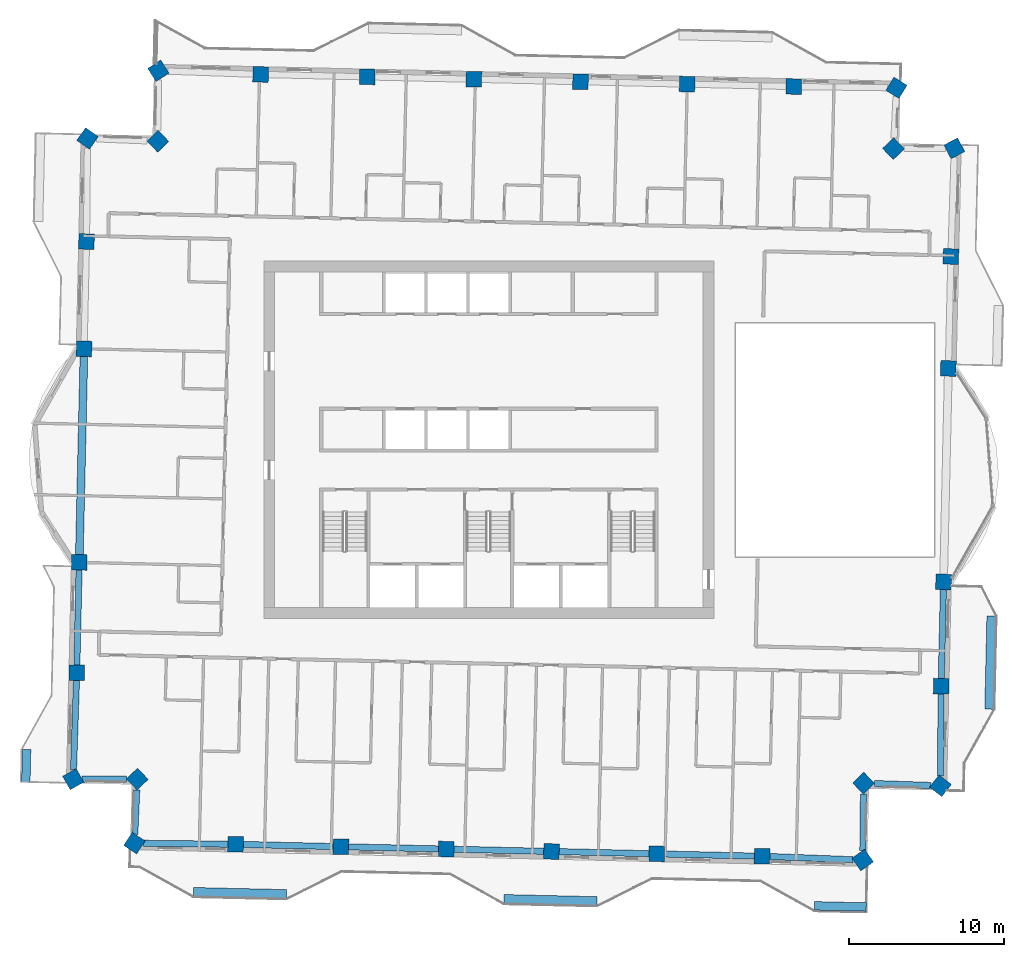
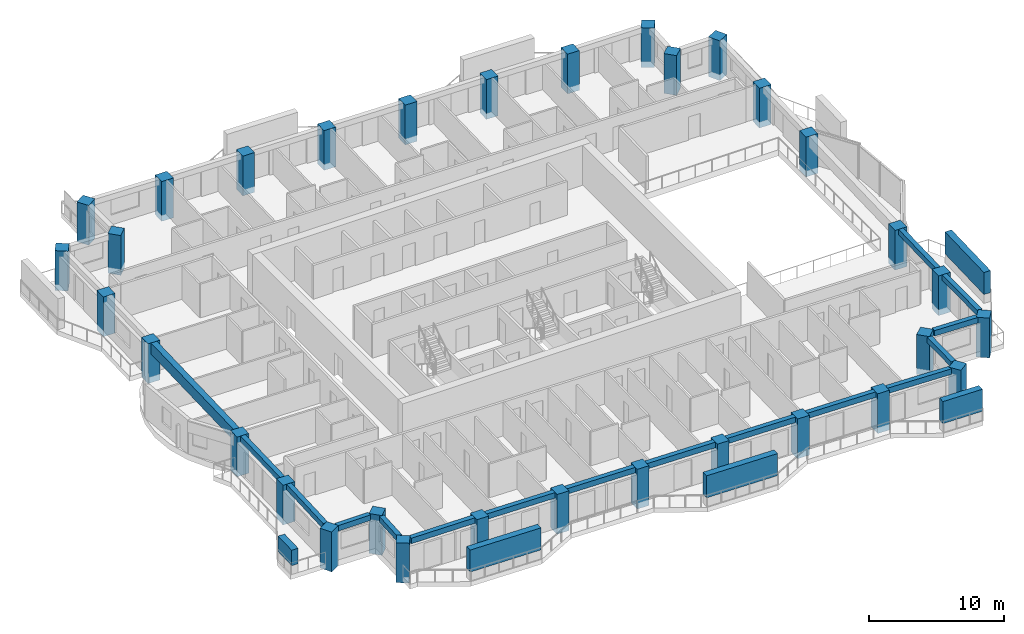
# One storey, part 1 of 17: 32 columns, 16 beams, 5 members.
"""IFC4 building model written with IfcOpenShell, lengths in metres."""

from ifc_helpers import new_model, si_unit, direction, frame, origin, origin_2d, place, context, subcontext, project, spatial, rectangle, extrude, material, material_profile, profile_set, type_object, element, save


model = new_model("IFC4")

# Units and contexts
model_context = context("Model", 3, precision=1e-05, world=origin(), true_north=direction((0.0, 1.0)))
body_context = subcontext(model_context, "Body", "Model", "MODEL_VIEW")
ifc_project = project(units=[si_unit("LENGTHUNIT", "METRE"), si_unit("AREAUNIT", "SQUARE_METRE"), si_unit("VOLUMEUNIT", "CUBIC_METRE"), si_unit("PLANEANGLEUNIT", "RADIAN"), si_unit("MASSUNIT", "GRAM", prefix="KILO")], contexts=[model_context])

# Site, building, storey
site_placement = place(None, origin())
site = spatial("IfcSite", under=ifc_project, at=site_placement, CompositionType="ELEMENT")
building_placement = place(site_placement, origin())
building = spatial("IfcBuilding", under=site, at=building_placement, Name="Mangrove Gate Tower", CompositionType="ELEMENT")
storey_placement = place(building_placement, frame((0.0, 0.0, 257.300048828125)))
storey = spatial("IfcBuildingStorey", under=building, at=storey_placement, Name="L65", CompositionType="ELEMENT", Elevation=257.300048828125)

# Columns
ifc_material_1 = material(Name="Concrete C60/75", Category="concrete")
ifc_material_profile_1 = material_profile(ifc_material_1, rectangle(XDim=1.0, YDim=1.0, at=origin_2d()))
ifc_profile_set_1 = profile_set([ifc_material_profile_1], Name="Concrete C60/75")
column_type = type_object("IfcColumnType", Name="Column RC 1000x1000 C60/75", PredefinedType="COLUMN", material=ifc_profile_set_1)
for number, where, z_axis, x_axis, name in (
    (1, (-26.385009765625, -7.892333984375, -0.550048828125), (0.0, 0.0, 1.0), (-0.022672414846, -0.999742947765, 0.0), "Column L65 W05"),
    (2, (-26.546142578125, -15.002197265625, -0.550048828125), (0.0, 0.0, 1.0), (-0.022636766921, -0.999743755561, 0.0), "Column L65 W06"),
    (3, (-26.770751953125, -21.857666015625, -0.550048828125), (0.0, 0.0, 1.0), (0.488846659431, -0.872369728706, 0.0), "Column L65 W07"),
    (4, (-22.646484375, -21.8515625, -0.550048828125), (0.0, 0.0, 1.0), (0.690844076144, -0.723003777622, 0.0), "Column L65 W08"),
    (5, (-22.8310546875, -25.97705078125, -0.550048828125), (0.0, 0.0, 1.0), (0.837962090781, -0.545728443838, 0.0), "Column L65 S01"),
    (6, (-16.312744140625, -26.050048828125, -0.550048828125), (0.0, 0.0, 1.0), (0.999742139886, -0.022708010396, 0.0), "Column L65 S02"),
    (7, (-9.53271484375, -26.2041015625, -0.550048828125), (0.0, 0.0, 1.0), (0.99974381087, -0.022634324086, 0.0), "Column L65 S03"),
    (8, (-2.752685546875, -26.357177734375, -0.550048828125), (0.0, 0.0, 1.0), (0.99974381087, -0.022634324086, 0.0), "Column L65 S04"),
    (9, (4.02734375, -26.51123046875, -0.550048828125), (0.0, 0.0, 1.0), (0.999742139886, -0.022708010396, 0.0), "Column L65 S05"),
    (10, (10.807373046875, -26.6650390625, -0.550048828125), (0.0, 0.0, 1.0), (0.999742139886, -0.022708010396, 0.0), "Column L65 S06"),
    (11, (17.58740234375, -26.819091796875, -0.550048828125), (0.0, 0.0, 1.0), (0.999742139886, -0.022708010396, 0.0), "Column L65 S07"),
    (12, (24.068359375, -27.06396484375, -0.550048828125), (0.0, 0.0, 1.0), (0.818120763293, 0.575046447402, 0.0), "Column L65 S08"),
    (13, (24.12353515625, -22.112548828125, -0.550048828125), (0.0, 0.0, 1.0), (0.722976563275, 0.690872556232, 0.0), "Column L65 E01"),
    (14, (29.073974609375, -22.2802734375, -0.550048828125), (0.0, 0.0, 1.0), (0.615428397343, 0.788192798586, 0.0), "Column L65 E02"),
    (15, (29.1201171875, -15.86572265625, -0.550048828125), (0.0, 0.0, 1.0), (0.022718026002, 0.999741912343, 0.0), "Column L65 E03"),
    (16, (29.273193359375, -9.154541015625, -0.550048828125), (0.0, 0.0, 1.0), (0.022723627062, 0.999741785049, 0.0), "Column L65 E04"),
    (17, (29.585205078125, 4.59228515625, -0.550048828125), (0.0, 0.0, 1.0), (0.022659642318, 0.999743237341, 0.0), "Column L65 E05"),
    (18, (29.748046875, 11.80224609375, -0.550048828125), (0.0, 0.0, 1.0), (0.0226694311, 0.999743015426, 0.0), "Column L65 E06"),
    (19, (29.96923828125, 18.76953125, -0.550048828125), (0.0, 0.0, 1.0), (-0.465021631321, 0.885299317973, 0.0), "Column L65 E07"),
    (20, (26.051513671875, 18.74658203125, -0.550048828125), (0.0, 0.0, 1.0), (-0.690925538708, 0.722925929788, 0.0), "Column L65 E08"),
    (21, (26.24267578125, 22.664794921875, -0.550048828125), (0.0, 0.0, 1.0), (-0.852456548942, 0.522798079727, 0.0), "Column L65 N01"),
    (22, (19.626708984375, 22.7470703125, -0.550048828125), (0.0, 0.0, 1.0), (-0.999741985691, 0.022714797976, 0.0), "Column L65 N02"),
    (23, (12.7607421875, 22.903076171875, -0.550048828125), (0.0, 0.0, 1.0), (-0.999741948423, 0.022716438162, 0.0), "Column L65 N03"),
    (24, (5.895751953125, 23.05908203125, -0.550048828125), (0.0, 0.0, 1.0), (-0.999741948423, 0.022716438162, 0.0), "Column L65 N04"),
    (25, (-0.97021484375, 23.215087890625, -0.550048828125), (0.0, 0.0, 1.0), (-0.999743636626, 0.022642019015, 0.0), "Column L65 N05"),
    (26, (-7.83642578125, 23.3701171875, -0.550048828125), (0.0, 0.0, 1.0), (-0.999743599083, 0.022643676653, 0.0), "Column L65 N06"),
    (27, (-14.701416015625, 23.526123046875, -0.550048828125), (0.0, 0.0, 1.0), (-0.999741948423, 0.022716438162, 0.0), "Column L65 N07"),
    (28, (-21.287353515625, 23.760498046875, -0.550048828125), (0.0, 0.0, 1.0), (-0.843247759492, -0.53752508417, 0.0), "Column L65 N08"),
    (29, (-21.314453125, 19.221435546875, -0.550048828125), (0.0, 0.0, 1.0), (-0.722988982899, -0.690859559249, 0.0), "Column L65 W01"),
    (30, (-25.84912109375, 19.401611328125, -0.550048828125), (0.0, 0.0, 1.0), (-0.572799342172, -0.819695622538, 0.0), "Column L65 W02"),
    (31, (-25.916015625, 12.765625, -0.550048828125), (0.0, 0.0, 1.0), (-0.022711552501, -0.999742059425, 0.0), "Column L65 W03"),
    (32, (-26.0732421875, 5.854736328125, -0.550048828125), (0.0, 0.0, 1.0), (-0.022697227041, -0.99974238476, 0.0), "Column L65 W04"),
):
    element("IfcColumn", number, at=place(storey_placement, frame(where, z_axis=z_axis, x_axis=x_axis)), inside=storey, type_object=column_type, Name=name, PredefinedType="COLUMN", context=body_context, shape_type="SweptSolid", body=[
        extrude(rectangle(XDim=1.0, YDim=1.0, at=origin_2d()), origin(), (0.0, 0.0, 1.0), 3.60009765625),
    ])

# Members
ifc_material_2 = material(Name="Planting on aluminium trellis", Category="aluminium")
ifc_material_profile_2 = material_profile(ifc_material_2, rectangle(XDim=0.550048828125, YDim=1.39990234375, at=origin_2d()))
ifc_profile_set_2 = profile_set([ifc_material_profile_2], Name="Planting on aluminium trellis")
member_type_1 = type_object("IfcMemberType", Name="Balcony greenery screen 550x1400", PredefinedType="USERDEFINED", material=ifc_profile_set_2)
member_1_placement = place(storey_placement, frame((-29.822021484375, -22.0419921875, 1.5), z_axis=(0.022908956429, 0.999737555419, 0.0), x_axis=(-0.999737555419, 0.022908956429, 0.0)))
element("IfcMember", 33, at=member_1_placement, inside=storey, type_object=member_type_1, Name="GREEN SCREEN L65 W1.1", ObjectType="PLANTING", PredefinedType="USERDEFINED", context=body_context, shape_type="SweptSolid", body=[
    extrude(rectangle(XDim=0.550048828125, YDim=1.39990234375, at=origin_2d()), origin(), (0.0, 0.0, 1.0), 2.099365234375),
])
ifc_material_3 = material(Name="Planting on aluminium trellis", Category="aluminium")
ifc_material_profile_3 = material_profile(ifc_material_3, rectangle(XDim=0.550048828125, YDim=2.0, at=origin_2d()))
ifc_profile_set_3 = profile_set([ifc_material_profile_3], Name="Planting on aluminium trellis")
member_type_2 = type_object("IfcMemberType", Name="Balcony greenery screen 550x2000", PredefinedType="USERDEFINED", material=ifc_profile_set_3)
member_2_placement = place(storey_placement, frame((32.202880859375, -17.34912109375, 1.800048828125), z_axis=(0.022702921152, 0.999742255469, 0.0), x_axis=(-0.999742255469, 0.022702921152, 0.0)))
element("IfcMember", 34, at=member_2_placement, inside=storey, type_object=member_type_2, Name="GREEN SCREEN L65 E0.1", ObjectType="PLANTING", PredefinedType="USERDEFINED", context=body_context, shape_type="SweptSolid", body=[
    extrude(rectangle(XDim=0.550048828125, YDim=2.0, at=origin_2d()), origin(), (0.0, 0.0, 1.0), 6.00048828125),
])
member_3_placement = place(storey_placement, frame((-19.028076171875, -29.10400390625, 1.800048828125), z_axis=(0.999743094499, -0.022665943652, 0.0), x_axis=(0.022665943652, 0.999743094499, 0.0)))
element("IfcMember", 35, at=member_3_placement, inside=storey, type_object=member_type_2, Name="GREEN SCREEN L65 S0.1", ObjectType="PLANTING", PredefinedType="USERDEFINED", context=body_context, shape_type="SweptSolid", body=[
    extrude(rectangle(XDim=0.550048828125, YDim=2.0, at=origin_2d()), origin(), (0.0, 0.0, 1.0), 5.99951171875),
])
member_4_placement = place(storey_placement, frame((0.966064453125, -29.55810546875, 1.800048828125), z_axis=(0.999743178102, -0.022662255828, 0.0), x_axis=(0.022662255828, 0.999743178102, 0.0)))
element("IfcMember", 36, at=member_4_placement, inside=storey, type_object=member_type_2, Name="GREEN SCREEN L65 S1.1", ObjectType="PLANTING", PredefinedType="USERDEFINED", context=body_context, shape_type="SweptSolid", body=[
    extrude(rectangle(XDim=0.550048828125, YDim=2.0, at=origin_2d()), origin(), (0.0, 0.0, 1.0), 6.00048828125),
])
member_5_placement = place(storey_placement, frame((20.9609375, -30.011962890625, 1.800048828125), z_axis=(0.999747546804, -0.022468704017, 0.0), x_axis=(0.022468704017, 0.999747546804, 0.0)))
element("IfcMember", 37, at=member_5_placement, inside=storey, type_object=member_type_2, Name="GREEN SCREEN L65 S1.2", ObjectType="PLANTING", PredefinedType="USERDEFINED", context=body_context, shape_type="SweptSolid", body=[
    extrude(rectangle(XDim=0.550048828125, YDim=2.0, at=origin_2d()), origin(), (0.0, 0.0, 1.0), 3.335693359375),
])

# Beams
ifc_material_4 = material(Name="Concrete C50/60", Category="concrete")
ifc_material_profile_4 = material_profile(ifc_material_4, rectangle(XDim=0.39990234375, YDim=0.5, at=origin_2d()))
ifc_profile_set_4 = profile_set([ifc_material_profile_4], Name="Concrete C50/60")
beam_type_1 = type_object("IfcBeamType", Name="Edge beam RC 400x500 C50/60", PredefinedType="BEAM", material=ifc_profile_set_4)
beam_1_placement = place(storey_placement, frame((-26.5625, -15.502197265625, 2.800048828125), z_axis=(-0.032765815093, -0.999463056526, 0.0), x_axis=(0.999463056526, -0.032765815093, 0.0)))
element("IfcBeam", 38, at=beam_1_placement, inside=storey, type_object=beam_type_1, Name="Edge beam L65 01", PredefinedType="BEAM", context=body_context, shape_type="SweptSolid", body=[
    extrude(rectangle(XDim=0.39990234375, YDim=0.5, at=origin_2d()), origin(), (0.0, 0.0, 1.0), 5.774658203125),
])
beam_2_placement = place(storey_placement, frame((-26.1982421875, -21.856689453125, 2.800048828125), z_axis=(0.99999894783, 0.001450634193, 0.0), x_axis=(-0.001450634193, 0.99999894783, 0.0)))
element("IfcBeam", 39, at=beam_2_placement, inside=storey, type_object=beam_type_1, Name="Edge beam L65 02", PredefinedType="BEAM", context=body_context, shape_type="SweptSolid", body=[
    extrude(rectangle(XDim=0.39990234375, YDim=0.5, at=origin_2d()), origin(), (0.0, 0.0, 1.0), 2.861083984375),
])
beam_3_placement = place(storey_placement, frame((-22.677490234375, -22.54296875, 2.800048828125), z_axis=(-0.044690570426, -0.999000877334, 0.0), x_axis=(0.999000877334, -0.044690570426, 0.0)))
element("IfcBeam", 40, at=beam_3_placement, inside=storey, type_object=beam_type_1, Name="Edge beam L65 03", PredefinedType="BEAM", context=body_context, shape_type="SweptSolid", body=[
    extrude(rectangle(XDim=0.39990234375, YDim=0.5, at=origin_2d()), origin(), (0.0, 0.0, 1.0), 2.857177734375),
])
beam_4_placement = place(storey_placement, frame((-22.23876953125, -25.983642578125, 2.800048828125), z_axis=(0.999937245586, -0.011202896475, 0.0), x_axis=(0.011202896475, 0.999937245586, 0.0)))
element("IfcBeam", 41, at=beam_4_placement, inside=storey, type_object=beam_type_1, Name="Edge beam L65 04", PredefinedType="BEAM", context=body_context, shape_type="SweptSolid", body=[
    extrude(rectangle(XDim=0.39990234375, YDim=0.5, at=origin_2d()), origin(), (0.0, 0.0, 1.0), 5.42626953125),
])
for number, where, z_axis, x_axis, name in (
    (42, (-15.812744140625, -26.0615234375, 2.800048828125), (0.999741922736, -0.022717568611, 0.0), (0.022717568611, 0.999741922736, 0.0), "Edge beam L65 05"),
    (43, (-9.03271484375, -26.21533203125, 2.800048828125), (0.999744791798, -0.02259095555, 0.0), (0.02259095555, 0.999744791798, 0.0), "Edge beam L65 06"),
):
    element("IfcBeam", number, at=place(storey_placement, frame(where, z_axis=z_axis, x_axis=x_axis)), inside=storey, type_object=beam_type_1, Name=name, PredefinedType="BEAM", context=body_context, shape_type="SweptSolid", body=[
        extrude(rectangle(XDim=0.39990234375, YDim=0.5, at=origin_2d()), origin(), (0.0, 0.0, 1.0), 5.78173828125),
    ])
beam_5_placement = place(storey_placement, frame((-2.2529296875, -26.368408203125, 2.800048828125), z_axis=(0.999741944527, -0.022716609628, 0.0), x_axis=(0.022716609628, 0.999741944527, 0.0)))
element("IfcBeam", 44, at=beam_5_placement, inside=storey, type_object=beam_type_1, Name="Edge beam L65 07", PredefinedType="BEAM", context=body_context, shape_type="SweptSolid", body=[
    extrude(rectangle(XDim=0.39990234375, YDim=0.5, at=origin_2d()), origin(), (0.0, 0.0, 1.0), 5.781982421875),
])
beam_6_placement = place(storey_placement, frame((4.52734375, -26.5224609375, 2.800048828125), z_axis=(0.999741900943, -0.022718527675, 0.0), x_axis=(0.022718527675, 0.999741900943, 0.0)))
element("IfcBeam", 45, at=beam_6_placement, inside=storey, type_object=beam_type_1, Name="Edge beam L65 08", PredefinedType="BEAM", context=body_context, shape_type="SweptSolid", body=[
    extrude(rectangle(XDim=0.39990234375, YDim=0.5, at=origin_2d()), origin(), (0.0, 0.0, 1.0), 5.781494140625),
])
beam_7_placement = place(storey_placement, frame((11.30712890625, -26.676513671875, 2.800048828125), z_axis=(0.999741922736, -0.022717568611, 0.0), x_axis=(0.022717568611, 0.999741922736, 0.0)))
element("IfcBeam", 46, at=beam_7_placement, inside=storey, type_object=beam_type_1, Name="Edge beam L65 09", PredefinedType="BEAM", context=body_context, shape_type="SweptSolid", body=[
    extrude(rectangle(XDim=0.39990234375, YDim=0.5, at=origin_2d()), origin(), (0.0, 0.0, 1.0), 5.78173828125),
])
beam_8_placement = place(storey_placement, frame((18.087158203125, -26.837890625, 2.800048828125), z_axis=(0.9992861355, -0.037778557385, 0.0), x_axis=(0.037778557385, 0.9992861355, 0.0)))
element("IfcBeam", 47, at=beam_8_placement, inside=storey, type_object=beam_type_1, Name="Edge beam L65 10", PredefinedType="BEAM", context=body_context, shape_type="SweptSolid", body=[
    extrude(rectangle(XDim=0.39990234375, YDim=0.5, at=origin_2d()), origin(), (0.0, 0.0, 1.0), 5.357421875),
])
beam_9_placement = place(storey_placement, frame((24.075439453125, -26.447998046875, 2.800048828125), z_axis=(0.011076863189, 0.999938649669, 0.0), x_axis=(-0.999938649669, 0.011076863189, 0.0)))
element("IfcBeam", 48, at=beam_9_placement, inside=storey, type_object=beam_type_1, Name="Edge beam L65 11", PredefinedType="BEAM", context=body_context, shape_type="SweptSolid", body=[
    extrude(rectangle(XDim=0.39990234375, YDim=0.5, at=origin_2d()), origin(), (0.0, 0.0, 1.0), 3.63671875),
])
beam_10_placement = place(storey_placement, frame((24.822509765625, -22.13623046875, 2.800048828125), z_axis=(0.999427025766, -0.033847011221, 0.0), x_axis=(0.033847011221, 0.999427025766, 0.0)))
element("IfcBeam", 49, at=beam_10_placement, inside=storey, type_object=beam_type_1, Name="Edge beam L65 12", PredefinedType="BEAM", context=body_context, shape_type="SweptSolid", body=[
    extrude(rectangle(XDim=0.39990234375, YDim=0.5, at=origin_2d()), origin(), (0.0, 0.0, 1.0), 3.635498046875),
])
beam_11_placement = place(storey_placement, frame((29.078369140625, -21.6494140625, 2.800048828125), z_axis=(0.00720801901, 0.999974021894, 0.0), x_axis=(-0.999974021894, 0.00720801901, 0.0)))
element("IfcBeam", 50, at=beam_11_placement, inside=storey, type_object=beam_type_1, Name="Edge beam L65 13", PredefinedType="BEAM", context=body_context, shape_type="SweptSolid", body=[
    extrude(rectangle(XDim=0.39990234375, YDim=0.5, at=origin_2d()), origin(), (0.0, 0.0, 1.0), 5.283935546875),
])
beam_12_placement = place(storey_placement, frame((29.131591796875, -15.36572265625, 2.800048828125), z_axis=(0.022778681813, 0.999740532166, 0.0), x_axis=(-0.999740532166, 0.022778681813, 0.0)))
element("IfcBeam", 51, at=beam_12_placement, inside=storey, type_object=beam_type_1, Name="Edge beam L65 14", PredefinedType="BEAM", context=body_context, shape_type="SweptSolid", body=[
    extrude(rectangle(XDim=0.39990234375, YDim=0.5, at=origin_2d()), origin(), (0.0, 0.0, 1.0), 5.712646484375),
])
ifc_material_5 = material(Name="Concrete C50/60", Category="concrete")
ifc_material_profile_5 = material_profile(ifc_material_5, rectangle(XDim=0.39990234375, YDim=0.550048828125, at=origin_2d()))
ifc_profile_set_5 = profile_set([ifc_material_profile_5], Name="Concrete C50/60")
beam_type_2 = type_object("IfcBeamType", Name="Edge beam RC 400x550 C50/60", PredefinedType="BEAM", material=ifc_profile_set_5)
beam_13_placement = place(storey_placement, frame((-26.396484375, -8.39208984375, 2.77490234375), z_axis=(-0.022648815514, -0.999743482677, 0.0), x_axis=(0.999743482677, -0.022648815514, 0.0)))
element("IfcBeam", 52, at=beam_13_placement, inside=storey, type_object=beam_type_2, Name="Edge beam L65 00", PredefinedType="BEAM", context=body_context, shape_type="SweptSolid", body=[
    extrude(rectangle(XDim=0.39990234375, YDim=0.550048828125, at=origin_2d()), origin(), (0.0, 0.0, 1.0), 6.11181640625),
])
ifc_material_6 = material(Name="Concrete C50/60", Category="concrete")
ifc_material_profile_6 = material_profile(ifc_material_6, rectangle(XDim=0.5, YDim=1.0, at=origin_2d()))
ifc_profile_set_6 = profile_set([ifc_material_profile_6], Name="Concrete C50/60")
beam_type_3 = type_object("IfcBeamType", Name="Edge beam RC 500x1000 C50/60", PredefinedType="BEAM", material=ifc_profile_set_6)
beam_14_placement = place(storey_placement, frame((-26.08447265625, 5.354736328125, 2.550048828125), z_axis=(-0.022689654485, -0.999742556651, 0.0), x_axis=(0.999742556651, -0.022689654485, 0.0)))
element("IfcBeam", 53, at=beam_14_placement, inside=storey, type_object=beam_type_3, Name="Edge beam L65 31", PredefinedType="BEAM", context=body_context, shape_type="SweptSolid", body=[
    extrude(rectangle(XDim=0.5, YDim=1.0, at=origin_2d()), origin(), (0.0, 0.0, 1.0), 12.75048828125),
])

save(model, "model.ifc")
